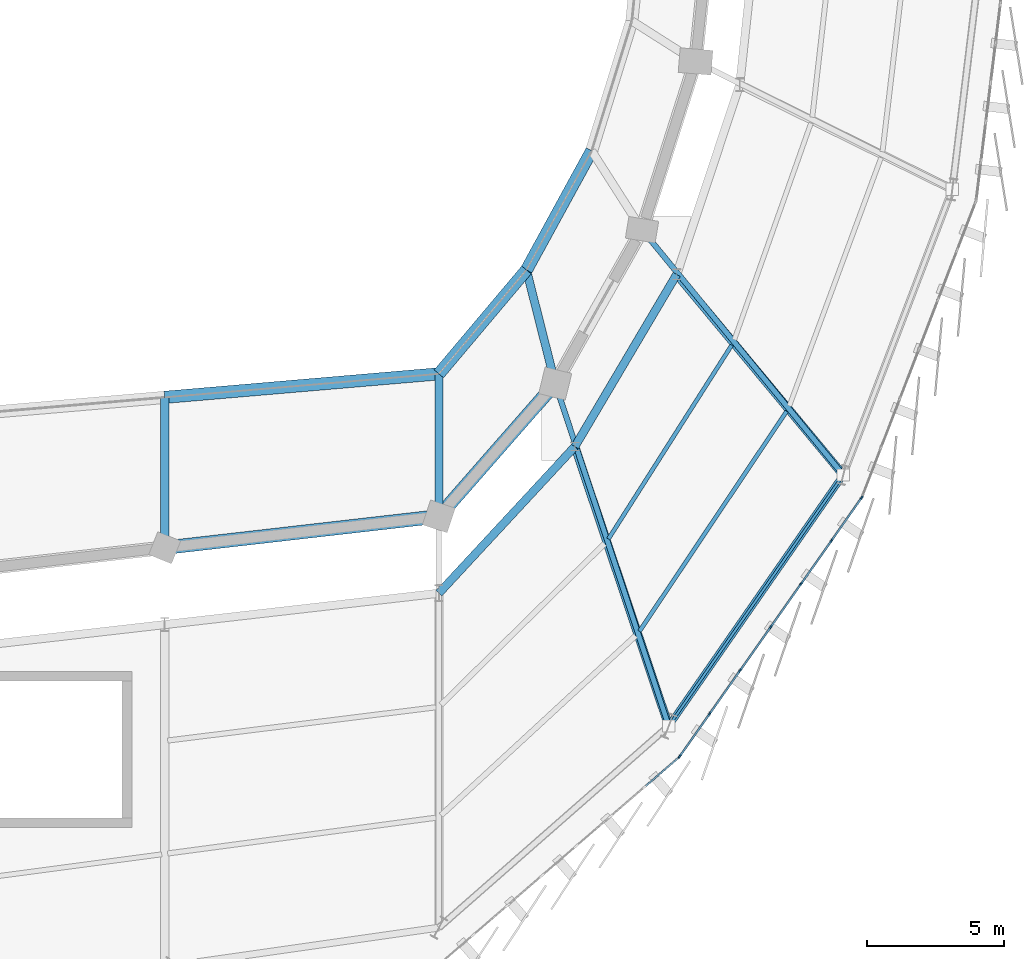
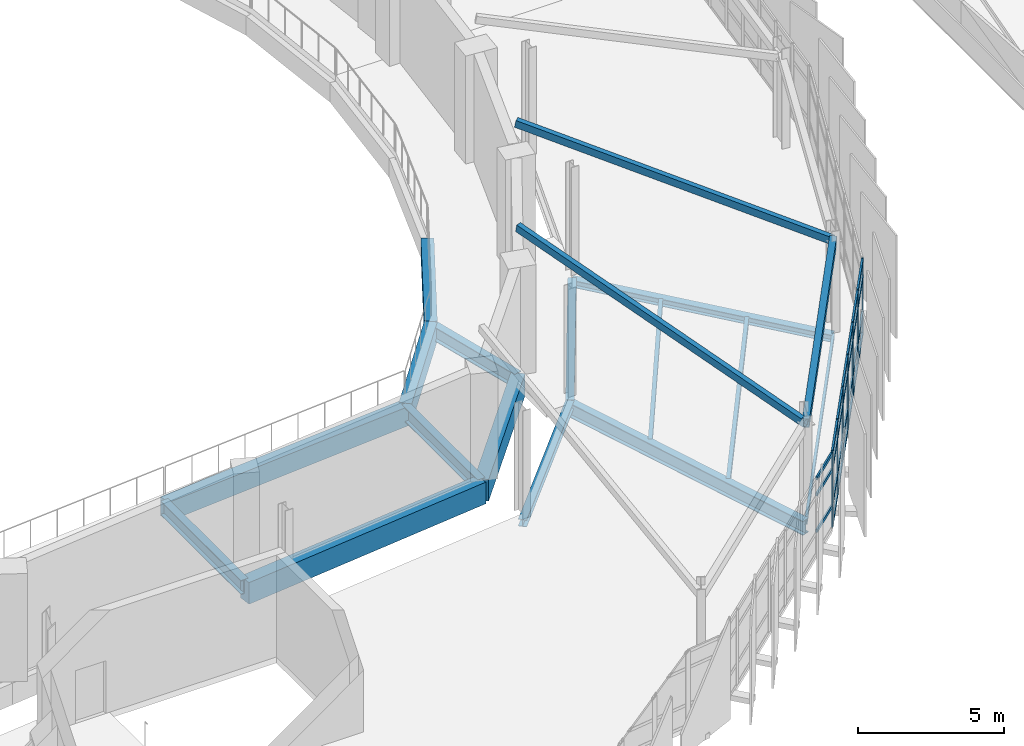
# One storey, part 41 of 87: 37 members, 15 beams, 2 elements without a shape of their own.
"""IFC4 building model written with IfcOpenShell, lengths in metres."""

from ifc_helpers import new_model, si_unit, direction, frame, origin, origin_2d, place, context, subcontext, project, spatial, rectangle, hollow_rectangle, i_section, extrude, material, layer, layer_set, material_profile, profile_set, type_object, element, aggregate, save


model = new_model("IFC4")

# Units and contexts
model_context = context("Model", 3, precision=1e-05, world=origin(), true_north=direction((0.0, 1.0)))
body_context = subcontext(model_context, "Body", "Model", "MODEL_VIEW")
ifc_project = project(units=[si_unit("LENGTHUNIT", "METRE"), si_unit("AREAUNIT", "SQUARE_METRE"), si_unit("VOLUMEUNIT", "CUBIC_METRE"), si_unit("PLANEANGLEUNIT", "RADIAN"), si_unit("MASSUNIT", "GRAM", prefix="KILO")], contexts=[model_context])

# Site, building, storey
site_placement = place(None, origin())
site = spatial("IfcSite", under=ifc_project, at=site_placement, CompositionType="ELEMENT")
building_placement = place(site_placement, origin())
building = spatial("IfcBuilding", under=site, at=building_placement, Name="Sohan Crest Arena", CompositionType="ELEMENT")
storey_placement = place(building_placement, frame((0.0, 0.0, 18.0)))
storey = spatial("IfcBuildingStorey", under=building, at=storey_placement, Name="L04", CompositionType="ELEMENT", Elevation=18.0)

# Curtain wall, members
ifc_material_1 = material(Name="Thermally broken anodised aluminium", Category="aluminium")
ifc_layer_1 = layer(ifc_material_1, 0.219970703125, Name="Thermally broken anodised aluminium")
ifc_layer_set_1 = layer_set([ifc_layer_1], Name="Thermally broken anodised aluminium")
curtain_wall_type_1 = type_object("IfcCurtainWallType", Name="ARC-CW03", PredefinedType="NOTDEFINED", material=ifc_layer_set_1)
curtain_wall_1_placement = place(storey_placement, origin())
curtain_wall_1 = element("IfcCurtainWall", 1, at=curtain_wall_1_placement, inside=storey, type_object=curtain_wall_type_1, Name="Unitised curtain wall CW-132", PredefinedType="NOTDEFINED")
ifc_material_profile_1 = material_profile(ifc_material_1, rectangle(XDim=0.06005859375, YDim=0.159912109375, at=origin_2d()), Name="ALU-MULL 60x160")
ifc_profile_set_1 = profile_set([ifc_material_profile_1], Name="Thermally broken anodised aluminium")
member_type_1 = type_object("IfcMemberType", Name="ARC-CW-ML01", PredefinedType="MULLION", material=ifc_profile_set_1)
member_1_placement = place(storey_placement, frame((176.783203125, 46.24658203125, 0.0), z_axis=(0.0, 0.0, 1.0), x_axis=(-0.817854574128, 0.575424969546, 0.0)))
member_1 = element("IfcMember", 2, at=member_1_placement, type_object=member_type_1, Name="CW-132 mullion 1", PredefinedType="MULLION", context=body_context, shape_type="SweptSolid", body=[
    extrude(rectangle(XDim=0.06005859375, YDim=0.159912109375, at=origin_2d()), origin(), (0.0, 0.0, 1.0), 3.1201171875),
])
member_2_placement = place(storey_placement, frame((177.876953125, 47.80078125, 0.0), z_axis=(0.0, 0.0, 1.0), x_axis=(-0.817854574128, 0.575424969546, 0.0)))
member_2 = element("IfcMember", 3, at=member_2_placement, type_object=member_type_1, Name="CW-132 mullion 2", PredefinedType="MULLION", context=body_context, shape_type="SweptSolid", body=[
    extrude(rectangle(XDim=0.06005859375, YDim=0.159912109375, at=origin_2d()), origin(), (0.0, 0.0, 1.0), 3.1201171875),
])
member_3_placement = place(storey_placement, frame((178.987548828125, 49.379638671875, 0.0), z_axis=(0.0, 0.0, 1.0), x_axis=(-0.817854574128, 0.575424969546, 0.0)))
member_3 = element("IfcMember", 4, at=member_3_placement, type_object=member_type_1, Name="CW-132 mullion 3", PredefinedType="MULLION", context=body_context, shape_type="SweptSolid", body=[
    extrude(rectangle(XDim=0.06005859375, YDim=0.159912109375, at=origin_2d()), origin(), (0.0, 0.0, 1.0), 3.1201171875),
])
member_4_placement = place(storey_placement, frame((180.098388671875, 50.95849609375, 0.0), z_axis=(0.0, 0.0, 1.0), x_axis=(-0.817854574128, 0.575424969546, 0.0)))
member_4 = element("IfcMember", 5, at=member_4_placement, type_object=member_type_1, Name="CW-132 mullion 4", PredefinedType="MULLION", context=body_context, shape_type="SweptSolid", body=[
    extrude(rectangle(XDim=0.06005859375, YDim=0.159912109375, at=origin_2d()), origin(), (0.0, 0.0, 1.0), 3.1201171875),
])
member_5_placement = place(storey_placement, frame((181.209228515625, 52.537353515625, 0.0), z_axis=(0.0, 0.0, 1.0), x_axis=(-0.817854574128, 0.575424969546, 0.0)))
member_5 = element("IfcMember", 6, at=member_5_placement, type_object=member_type_1, Name="CW-132 mullion 5", PredefinedType="MULLION", context=body_context, shape_type="SweptSolid", body=[
    extrude(rectangle(XDim=0.06005859375, YDim=0.159912109375, at=origin_2d()), origin(), (0.0, 0.0, 1.0), 3.1201171875),
])
member_6_placement = place(storey_placement, frame((182.320068359375, 54.1162109375, 0.0), z_axis=(0.0, 0.0, 1.0), x_axis=(-0.817854574128, 0.575424969546, 0.0)))
member_6 = element("IfcMember", 7, at=member_6_placement, type_object=member_type_1, Name="CW-132 mullion 6", PredefinedType="MULLION", context=body_context, shape_type="SweptSolid", body=[
    extrude(rectangle(XDim=0.06005859375, YDim=0.159912109375, at=origin_2d()), origin(), (0.0, 0.0, 1.0), 3.1201171875),
])
member_7_placement = place(storey_placement, frame((183.413818359375, 55.67041015625, 0.0), z_axis=(0.0, 0.0, 1.0), x_axis=(-0.817854574128, 0.575424969546, 0.0)))
member_7 = element("IfcMember", 8, at=member_7_placement, type_object=member_type_1, Name="CW-132 mullion 7", PredefinedType="MULLION", context=body_context, shape_type="SweptSolid", body=[
    extrude(rectangle(XDim=0.06005859375, YDim=0.159912109375, at=origin_2d()), origin(), (0.0, 0.0, 1.0), 3.1201171875),
])

ifc_layer_2 = layer(ifc_material_1, 0.199951171875, Name="Thermally broken anodised aluminium")
ifc_layer_set_2 = layer_set([ifc_layer_2], Name="Thermally broken anodised aluminium")
curtain_wall_type_2 = type_object("IfcCurtainWallType", Name="ARC-CW02", PredefinedType="NOTDEFINED", material=ifc_layer_set_2)
curtain_wall_2_placement = place(storey_placement, origin())
curtain_wall_2 = element("IfcCurtainWall", 9, at=curtain_wall_2_placement, inside=storey, type_object=curtain_wall_type_2, Name="Unitised curtain wall CW-131", PredefinedType="NOTDEFINED")
ifc_material_profile_2 = material_profile(ifc_material_1, rectangle(XDim=0.06494140625, YDim=0.139892578125, at=origin_2d()), Name="ALU-TRAN 65x140")
ifc_profile_set_2 = profile_set([ifc_material_profile_2], Name="Thermally broken anodised aluminium")
member_type_2 = type_object("IfcMemberType", Name="ARC-CW-TR02", PredefinedType="USERDEFINED", material=ifc_profile_set_2)
member_8_placement = place(storey_placement, frame((175.5419921875, 45.164794921875, 0.89990234375), z_axis=(0.756826567139, 0.653615748948, 0.0), x_axis=(-0.653615748948, 0.756826567139, 0.0)))
member_8 = element("IfcMember", 10, at=member_8_placement, type_object=member_type_2, Name="CW-131 transom 7.2", ObjectType="TRANSOM", PredefinedType="USERDEFINED", context=body_context, shape_type="SweptSolid", body=[
    extrude(rectangle(XDim=0.06494140625, YDim=0.139892578125, at=origin_2d()), origin(), (0.0, 0.0, 1.0), 1.542236328125),
])
member_9_placement = place(storey_placement, frame((175.5419921875, 45.164794921875, 2.419921875), z_axis=(0.756826567139, 0.653615748948, 0.0), x_axis=(-0.653615748948, 0.756826567139, 0.0)))
member_9 = element("IfcMember", 11, at=member_9_placement, type_object=member_type_2, Name="CW-131 transom 7.3", ObjectType="TRANSOM", PredefinedType="USERDEFINED", context=body_context, shape_type="SweptSolid", body=[
    extrude(rectangle(XDim=0.06494140625, YDim=0.139892578125, at=origin_2d()), origin(), (0.0, 0.0, 1.0), 1.542236328125),
])
member_10_placement = place(storey_placement, frame((175.5419921875, 45.164794921875, 3.08740234375), z_axis=(0.756826567139, 0.653615748948, 0.0), x_axis=(-0.653615748948, 0.756826567139, 0.0)))
member_10 = element("IfcMember", 12, at=member_10_placement, type_object=member_type_2, Name="CW-131 transom 7.4", ObjectType="TRANSOM", PredefinedType="USERDEFINED", context=body_context, shape_type="SweptSolid", body=[
    extrude(rectangle(XDim=0.06494140625, YDim=0.139892578125, at=origin_2d()), origin(), (0.0, 0.0, 1.0), 1.542236328125),
])
aggregate(curtain_wall_2, [member_8, member_9, member_10])

# Member
ifc_material_profile_3 = material_profile(ifc_material_1, rectangle(XDim=0.070068359375, YDim=0.14990234375, at=origin_2d()), Name="ALU-TRAN 70x150")
ifc_profile_set_3 = profile_set([ifc_material_profile_3], Name="Thermally broken anodised aluminium")
member_type_3 = type_object("IfcMemberType", Name="ARC-CW-TR03", PredefinedType="USERDEFINED", material=ifc_profile_set_3)
member_11_placement = place(storey_placement, frame((176.800537109375, 46.27099609375, 0.034912109375), z_axis=(0.575401404897, 0.817871153203, 0.0), x_axis=(-0.817871153203, 0.575401404897, 0.0)))
member_11 = element("IfcMember", 13, at=member_11_placement, type_object=member_type_3, Name="CW-132 transom 1.1", ObjectType="TRANSOM", PredefinedType="USERDEFINED", context=body_context, shape_type="SweptSolid", body=[
    extrude(rectangle(XDim=0.070068359375, YDim=0.14990234375, at=origin_2d()), origin(), (0.0, 0.0, 1.0), 1.840576171875),
])

member_12_placement = place(storey_placement, frame((176.800537109375, 46.27099609375, 0.89990234375), z_axis=(0.575401404897, 0.817871153203, 0.0), x_axis=(-0.817871153203, 0.575401404897, 0.0)))
member_12 = element("IfcMember", 14, at=member_12_placement, type_object=member_type_3, Name="CW-132 transom 1.2", ObjectType="TRANSOM", PredefinedType="USERDEFINED", context=body_context, shape_type="SweptSolid", body=[
    extrude(rectangle(XDim=0.070068359375, YDim=0.14990234375, at=origin_2d()), origin(), (0.0, 0.0, 1.0), 1.840576171875),
])

member_13_placement = place(storey_placement, frame((176.800537109375, 46.27099609375, 2.419921875), z_axis=(0.575401404897, 0.817871153203, 0.0), x_axis=(-0.817871153203, 0.575401404897, 0.0)))
member_13 = element("IfcMember", 15, at=member_13_placement, type_object=member_type_3, Name="CW-132 transom 1.3", ObjectType="TRANSOM", PredefinedType="USERDEFINED", context=body_context, shape_type="SweptSolid", body=[
    extrude(rectangle(XDim=0.070068359375, YDim=0.14990234375, at=origin_2d()), origin(), (0.0, 0.0, 1.0), 1.840576171875),
])

member_14_placement = place(storey_placement, frame((176.800537109375, 46.27099609375, 3.0849609375), z_axis=(0.575401404897, 0.817871153203, 0.0), x_axis=(-0.817871153203, 0.575401404897, 0.0)))
member_14 = element("IfcMember", 16, at=member_14_placement, type_object=member_type_3, Name="CW-132 transom 1.4", ObjectType="TRANSOM", PredefinedType="USERDEFINED", context=body_context, shape_type="SweptSolid", body=[
    extrude(rectangle(XDim=0.070068359375, YDim=0.14990234375, at=origin_2d()), origin(), (0.0, 0.0, 1.0), 1.840576171875),
])

member_15_placement = place(storey_placement, frame((177.89404296875, 47.825439453125, 0.034912109375), z_axis=(0.575457842223, 0.817831444629, 0.0), x_axis=(-0.817831444629, 0.575457842223, 0.0)))
member_15 = element("IfcMember", 17, at=member_15_placement, type_object=member_type_3, Name="CW-132 transom 2.1", ObjectType="TRANSOM", PredefinedType="USERDEFINED", context=body_context, shape_type="SweptSolid", body=[
    extrude(rectangle(XDim=0.070068359375, YDim=0.14990234375, at=origin_2d()), origin(), (0.0, 0.0, 1.0), 1.87060546875),
])

member_16_placement = place(storey_placement, frame((177.89404296875, 47.825439453125, 0.89990234375), z_axis=(0.575457842223, 0.817831444629, 0.0), x_axis=(-0.817831444629, 0.575457842223, 0.0)))
member_16 = element("IfcMember", 18, at=member_16_placement, type_object=member_type_3, Name="CW-132 transom 2.2", ObjectType="TRANSOM", PredefinedType="USERDEFINED", context=body_context, shape_type="SweptSolid", body=[
    extrude(rectangle(XDim=0.070068359375, YDim=0.14990234375, at=origin_2d()), origin(), (0.0, 0.0, 1.0), 1.87060546875),
])

member_17_placement = place(storey_placement, frame((177.89404296875, 47.825439453125, 2.419921875), z_axis=(0.575457842223, 0.817831444629, 0.0), x_axis=(-0.817831444629, 0.575457842223, 0.0)))
member_17 = element("IfcMember", 19, at=member_17_placement, type_object=member_type_3, Name="CW-132 transom 2.3", ObjectType="TRANSOM", PredefinedType="USERDEFINED", context=body_context, shape_type="SweptSolid", body=[
    extrude(rectangle(XDim=0.070068359375, YDim=0.14990234375, at=origin_2d()), origin(), (0.0, 0.0, 1.0), 1.87060546875),
])

member_18_placement = place(storey_placement, frame((177.89404296875, 47.825439453125, 3.0849609375), z_axis=(0.575457842223, 0.817831444629, 0.0), x_axis=(-0.817831444629, 0.575457842223, 0.0)))
member_18 = element("IfcMember", 20, at=member_18_placement, type_object=member_type_3, Name="CW-132 transom 2.4", ObjectType="TRANSOM", PredefinedType="USERDEFINED", context=body_context, shape_type="SweptSolid", body=[
    extrude(rectangle(XDim=0.070068359375, YDim=0.14990234375, at=origin_2d()), origin(), (0.0, 0.0, 1.0), 1.87060546875),
])

member_19_placement = place(storey_placement, frame((179.0048828125, 49.404296875, 0.034912109375), z_axis=(0.575457842223, 0.817831444629, 0.0), x_axis=(-0.817831444629, 0.575457842223, 0.0)))
member_19 = element("IfcMember", 21, at=member_19_placement, type_object=member_type_3, Name="CW-132 transom 3.1", ObjectType="TRANSOM", PredefinedType="USERDEFINED", context=body_context, shape_type="SweptSolid", body=[
    extrude(rectangle(XDim=0.070068359375, YDim=0.14990234375, at=origin_2d()), origin(), (0.0, 0.0, 1.0), 1.87060546875),
])

member_20_placement = place(storey_placement, frame((179.0048828125, 49.404296875, 0.89990234375), z_axis=(0.575457842223, 0.817831444629, 0.0), x_axis=(-0.817831444629, 0.575457842223, 0.0)))
member_20 = element("IfcMember", 22, at=member_20_placement, type_object=member_type_3, Name="CW-132 transom 3.2", ObjectType="TRANSOM", PredefinedType="USERDEFINED", context=body_context, shape_type="SweptSolid", body=[
    extrude(rectangle(XDim=0.070068359375, YDim=0.14990234375, at=origin_2d()), origin(), (0.0, 0.0, 1.0), 1.87060546875),
])

member_21_placement = place(storey_placement, frame((179.0048828125, 49.404296875, 2.419921875), z_axis=(0.575457842223, 0.817831444629, 0.0), x_axis=(-0.817831444629, 0.575457842223, 0.0)))
member_21 = element("IfcMember", 23, at=member_21_placement, type_object=member_type_3, Name="CW-132 transom 3.3", ObjectType="TRANSOM", PredefinedType="USERDEFINED", context=body_context, shape_type="SweptSolid", body=[
    extrude(rectangle(XDim=0.070068359375, YDim=0.14990234375, at=origin_2d()), origin(), (0.0, 0.0, 1.0), 1.87060546875),
])

member_22_placement = place(storey_placement, frame((179.0048828125, 49.404296875, 3.0849609375), z_axis=(0.575457842223, 0.817831444629, 0.0), x_axis=(-0.817831444629, 0.575457842223, 0.0)))
member_22 = element("IfcMember", 24, at=member_22_placement, type_object=member_type_3, Name="CW-132 transom 3.4", ObjectType="TRANSOM", PredefinedType="USERDEFINED", context=body_context, shape_type="SweptSolid", body=[
    extrude(rectangle(XDim=0.070068359375, YDim=0.14990234375, at=origin_2d()), origin(), (0.0, 0.0, 1.0), 1.87060546875),
])

member_23_placement = place(storey_placement, frame((180.11572265625, 50.983154296875, 0.034912109375), z_axis=(0.575519272944, 0.817788216148, 0.0), x_axis=(-0.817788216148, 0.575519272944, 0.0)))
member_23 = element("IfcMember", 25, at=member_23_placement, type_object=member_type_3, Name="CW-132 transom 4.1", ObjectType="TRANSOM", PredefinedType="USERDEFINED", context=body_context, shape_type="SweptSolid", body=[
    extrude(rectangle(XDim=0.070068359375, YDim=0.14990234375, at=origin_2d()), origin(), (0.0, 0.0, 1.0), 1.870361328125),
])

member_24_placement = place(storey_placement, frame((180.11572265625, 50.983154296875, 0.89990234375), z_axis=(0.575519272944, 0.817788216148, 0.0), x_axis=(-0.817788216148, 0.575519272944, 0.0)))
member_24 = element("IfcMember", 26, at=member_24_placement, type_object=member_type_3, Name="CW-132 transom 4.2", ObjectType="TRANSOM", PredefinedType="USERDEFINED", context=body_context, shape_type="SweptSolid", body=[
    extrude(rectangle(XDim=0.070068359375, YDim=0.14990234375, at=origin_2d()), origin(), (0.0, 0.0, 1.0), 1.870361328125),
])

member_25_placement = place(storey_placement, frame((180.11572265625, 50.983154296875, 2.419921875), z_axis=(0.575519272944, 0.817788216148, 0.0), x_axis=(-0.817788216148, 0.575519272944, 0.0)))
member_25 = element("IfcMember", 27, at=member_25_placement, type_object=member_type_3, Name="CW-132 transom 4.3", ObjectType="TRANSOM", PredefinedType="USERDEFINED", context=body_context, shape_type="SweptSolid", body=[
    extrude(rectangle(XDim=0.070068359375, YDim=0.14990234375, at=origin_2d()), origin(), (0.0, 0.0, 1.0), 1.870361328125),
])

member_26_placement = place(storey_placement, frame((180.11572265625, 50.983154296875, 3.0849609375), z_axis=(0.575519272944, 0.817788216148, 0.0), x_axis=(-0.817788216148, 0.575519272944, 0.0)))
member_26 = element("IfcMember", 28, at=member_26_placement, type_object=member_type_3, Name="CW-132 transom 4.4", ObjectType="TRANSOM", PredefinedType="USERDEFINED", context=body_context, shape_type="SweptSolid", body=[
    extrude(rectangle(XDim=0.070068359375, YDim=0.14990234375, at=origin_2d()), origin(), (0.0, 0.0, 1.0), 1.870361328125),
])

member_27_placement = place(storey_placement, frame((181.2265625, 52.561767578125, 0.034912109375), z_axis=(0.575457842223, 0.817831444629, 0.0), x_axis=(-0.817831444629, 0.575457842223, 0.0)))
member_27 = element("IfcMember", 29, at=member_27_placement, type_object=member_type_3, Name="CW-132 transom 5.1", ObjectType="TRANSOM", PredefinedType="USERDEFINED", context=body_context, shape_type="SweptSolid", body=[
    extrude(rectangle(XDim=0.070068359375, YDim=0.14990234375, at=origin_2d()), origin(), (0.0, 0.0, 1.0), 1.87060546875),
])

member_28_placement = place(storey_placement, frame((181.2265625, 52.561767578125, 0.89990234375), z_axis=(0.575457842223, 0.817831444629, 0.0), x_axis=(-0.817831444629, 0.575457842223, 0.0)))
member_28 = element("IfcMember", 30, at=member_28_placement, type_object=member_type_3, Name="CW-132 transom 5.2", ObjectType="TRANSOM", PredefinedType="USERDEFINED", context=body_context, shape_type="SweptSolid", body=[
    extrude(rectangle(XDim=0.070068359375, YDim=0.14990234375, at=origin_2d()), origin(), (0.0, 0.0, 1.0), 1.87060546875),
])

member_29_placement = place(storey_placement, frame((181.2265625, 52.561767578125, 2.419921875), z_axis=(0.575457842223, 0.817831444629, 0.0), x_axis=(-0.817831444629, 0.575457842223, 0.0)))
member_29 = element("IfcMember", 31, at=member_29_placement, type_object=member_type_3, Name="CW-132 transom 5.3", ObjectType="TRANSOM", PredefinedType="USERDEFINED", context=body_context, shape_type="SweptSolid", body=[
    extrude(rectangle(XDim=0.070068359375, YDim=0.14990234375, at=origin_2d()), origin(), (0.0, 0.0, 1.0), 1.87060546875),
])

member_30_placement = place(storey_placement, frame((181.2265625, 52.561767578125, 3.0849609375), z_axis=(0.575457842223, 0.817831444629, 0.0), x_axis=(-0.817831444629, 0.575457842223, 0.0)))
member_30 = element("IfcMember", 32, at=member_30_placement, type_object=member_type_3, Name="CW-132 transom 5.4", ObjectType="TRANSOM", PredefinedType="USERDEFINED", context=body_context, shape_type="SweptSolid", body=[
    extrude(rectangle(XDim=0.070068359375, YDim=0.14990234375, at=origin_2d()), origin(), (0.0, 0.0, 1.0), 1.87060546875),
])

member_31_placement = place(storey_placement, frame((182.33740234375, 54.140625, 0.034912109375), z_axis=(0.575401404897, 0.817871153203, 0.0), x_axis=(-0.817871153203, 0.575401404897, 0.0)))
member_31 = element("IfcMember", 33, at=member_31_placement, type_object=member_type_3, Name="CW-132 transom 6.1", ObjectType="TRANSOM", PredefinedType="USERDEFINED", context=body_context, shape_type="SweptSolid", body=[
    extrude(rectangle(XDim=0.070068359375, YDim=0.14990234375, at=origin_2d()), origin(), (0.0, 0.0, 1.0), 1.840576171875),
])

member_32_placement = place(storey_placement, frame((182.33740234375, 54.140625, 0.89990234375), z_axis=(0.575401404897, 0.817871153203, 0.0), x_axis=(-0.817871153203, 0.575401404897, 0.0)))
member_32 = element("IfcMember", 34, at=member_32_placement, type_object=member_type_3, Name="CW-132 transom 6.2", ObjectType="TRANSOM", PredefinedType="USERDEFINED", context=body_context, shape_type="SweptSolid", body=[
    extrude(rectangle(XDim=0.070068359375, YDim=0.14990234375, at=origin_2d()), origin(), (0.0, 0.0, 1.0), 1.840576171875),
])

member_33_placement = place(storey_placement, frame((182.33740234375, 54.140625, 2.419921875), z_axis=(0.575401404897, 0.817871153203, 0.0), x_axis=(-0.817871153203, 0.575401404897, 0.0)))
member_33 = element("IfcMember", 35, at=member_33_placement, type_object=member_type_3, Name="CW-132 transom 6.3", ObjectType="TRANSOM", PredefinedType="USERDEFINED", context=body_context, shape_type="SweptSolid", body=[
    extrude(rectangle(XDim=0.070068359375, YDim=0.14990234375, at=origin_2d()), origin(), (0.0, 0.0, 1.0), 1.840576171875),
])

member_34_placement = place(storey_placement, frame((182.33740234375, 54.140625, 3.0849609375), z_axis=(0.575401404897, 0.817871153203, 0.0), x_axis=(-0.817871153203, 0.575401404897, 0.0)))
member_34 = element("IfcMember", 36, at=member_34_placement, type_object=member_type_3, Name="CW-132 transom 6.4", ObjectType="TRANSOM", PredefinedType="USERDEFINED", context=body_context, shape_type="SweptSolid", body=[
    extrude(rectangle(XDim=0.070068359375, YDim=0.14990234375, at=origin_2d()), origin(), (0.0, 0.0, 1.0), 1.840576171875),
])

aggregate(curtain_wall_1, [member_1, member_2, member_3, member_4, member_5, member_6, member_7, member_11, member_12, member_13, member_14, member_15, member_16, member_17, member_18, member_19, member_20, member_21, member_22, member_23, member_24, member_25, member_26, member_27, member_28, member_29, member_30, member_31, member_32, member_33, member_34])

# Beams
ifc_material_2 = material(Name="Steel S355", Category="steel")
ifc_material_profile_4 = material_profile(ifc_material_2, i_section(OverallWidth=0.14990234375, OverallDepth=0.300048828125, WebThickness=0.007080078125, FlangeThickness=0.0107421875, at=origin_2d()), Name="IPE 300")
ifc_profile_set_4 = profile_set([ifc_material_profile_4], Name="Steel S355")
beam_type_1 = type_object("IfcBeamType", Name="STR-BM-B01", PredefinedType="JOIST", material=ifc_profile_set_4)
beam_1_placement = place(storey_placement, frame((174.18310546875, 54.175048828125, -0.39990234375), z_axis=(0.536679400997, 0.843786241027, 0.0), x_axis=(-0.843786241027, 0.536679400997, 0.0)))
element("IfcBeam", 37, at=beam_1_placement, inside=storey, type_object=beam_type_1, Name="Structural beam J-L04-1642", PredefinedType="JOIST", context=body_context, shape_type="SweptSolid", body=[
    extrude(i_section(OverallWidth=0.14990234375, OverallDepth=0.300048828125, WebThickness=0.007080078125, FlangeThickness=0.0107421875, at=origin_2d()), origin(), (0.0, 0.0, 1.0), 8.37890625),
])
beam_2_placement = place(storey_placement, frame((175.31494140625, 50.80908203125, -0.39990234375), z_axis=(0.556006645923, 0.831177844802, 0.0), x_axis=(-0.831177844802, 0.556006645923, 0.0)))
element("IfcBeam", 38, at=beam_2_placement, inside=storey, type_object=beam_type_1, Name="Structural beam J-L04-1643", PredefinedType="JOIST", context=body_context, shape_type="SweptSolid", body=[
    extrude(i_section(OverallWidth=0.14990234375, OverallDepth=0.300048828125, WebThickness=0.007080078125, FlangeThickness=0.0107421875, at=origin_2d()), origin(), (0.0, 0.0, 1.0), 9.65478515625),
])
ifc_material_profile_5 = material_profile(ifc_material_2, i_section(OverallWidth=0.300048828125, OverallDepth=0.590087890625, WebThickness=0.012939453125, FlangeThickness=0.02490234375, at=origin_2d()), Name="HEA 600")
ifc_profile_set_5 = profile_set([ifc_material_profile_5], Name="Steel S355")
beam_type_2 = type_object("IfcBeamType", Name="STR-BM-B11", PredefinedType="BEAM", material=ifc_profile_set_5)
beam_3_placement = place(storey_placement, frame((158.0, 59.343017578125, -0.544921875), z_axis=(0.0, -1.0, 0.0), x_axis=(1.0, 0.0, 0.0)))
element("IfcBeam", 39, at=beam_3_placement, inside=storey, type_object=beam_type_2, Name="Structural beam G-L04-0474", PredefinedType="BEAM", context=body_context, shape_type="SweptSolid", body=[
    extrude(i_section(OverallWidth=0.300048828125, OverallDepth=0.590087890625, WebThickness=0.012939453125, FlangeThickness=0.02490234375, at=origin_2d()), origin(), (0.0, 0.0, 1.0), 5.486083984375),
])
beam_4_placement = place(storey_placement, frame((168.0, 60.199951171875, -0.544921875), z_axis=(0.0, -1.0, 0.0), x_axis=(1.0, 0.0, 0.0)))
element("IfcBeam", 40, at=beam_4_placement, inside=storey, type_object=beam_type_2, Name="Structural beam G-L04-0496", PredefinedType="BEAM", context=body_context, shape_type="SweptSolid", body=[
    extrude(i_section(OverallWidth=0.300048828125, OverallDepth=0.590087890625, WebThickness=0.012939453125, FlangeThickness=0.02490234375, at=origin_2d()), origin(), (0.0, 0.0, 1.0), 5.199951171875),
])
beam_5_placement = place(storey_placement, frame((171.194091796875, 63.988037109375, -0.544921875), z_axis=(0.245465367753, -0.969405360638, 0.0), x_axis=(0.969405360638, 0.245465367753, 0.0)))
element("IfcBeam", 41, at=beam_5_placement, inside=storey, type_object=beam_type_2, Name="Structural beam G-L04-0519", PredefinedType="BEAM", context=body_context, shape_type="SweptSolid", body=[
    extrude(i_section(OverallWidth=0.300048828125, OverallDepth=0.590087890625, WebThickness=0.012939453125, FlangeThickness=0.02490234375, at=origin_2d()), origin(), (0.0, 0.0, 1.0), 4.272705078125),
])
beam_6_placement = place(storey_placement, frame((172.9609375, 57.547119140625, -0.544921875), z_axis=(0.318297981778, -0.947990714509, 0.0), x_axis=(0.947990714509, 0.318297981778, 0.0)))
element("IfcBeam", 42, at=beam_6_placement, inside=storey, type_object=beam_type_2, Name="Structural beam G-L04-1639", PredefinedType="BEAM", context=body_context, shape_type="SweptSolid", body=[
    extrude(i_section(OverallWidth=0.300048828125, OverallDepth=0.590087890625, WebThickness=0.012939453125, FlangeThickness=0.02490234375, at=origin_2d()), origin(), (0.0, 0.0, 1.0), 10.751220703125),
])
ifc_material_profile_6 = material_profile(ifc_material_2, i_section(OverallWidth=0.300048828125, OverallDepth=0.300048828125, WebThickness=0.010986328125, FlangeThickness=0.01904296875, at=origin_2d()), Name="HEB 300")
ifc_profile_set_6 = profile_set([ifc_material_profile_6], Name="Steel S355")
beam_type_3 = type_object("IfcBeamType", Name="STR-BM-B12", PredefinedType="BEAM", material=ifc_profile_set_6)
beam_7_placement = place(storey_placement, frame((168.0, 52.199951171875, -0.39990234375), z_axis=(0.680135214567, 0.733086686488, 0.0), x_axis=(-0.733086686488, 0.680135214567, 0.0)))
element("IfcBeam", 43, at=beam_7_placement, inside=storey, type_object=beam_type_3, Name="Structural beam G-L04-1635", PredefinedType="BEAM", context=body_context, shape_type="SweptSolid", body=[
    extrude(i_section(OverallWidth=0.300048828125, OverallDepth=0.300048828125, WebThickness=0.010986328125, FlangeThickness=0.01904296875, at=origin_2d()), origin(), (0.0, 0.0, 1.0), 7.2939453125),
])
beam_8_placement = place(storey_placement, frame((172.9609375, 57.547119140625, -0.39990234375), z_axis=(0.509085626747, 0.860715879161, 0.0), x_axis=(-0.860715879161, 0.509085626747, 0.0)))
element("IfcBeam", 44, at=beam_8_placement, inside=storey, type_object=beam_type_3, Name="Structural beam G-L04-1640", PredefinedType="BEAM", context=body_context, shape_type="SweptSolid", body=[
    extrude(i_section(OverallWidth=0.300048828125, OverallDepth=0.300048828125, WebThickness=0.010986328125, FlangeThickness=0.01904296875, at=origin_2d()), origin(), (0.0, 0.0, 1.0), 7.293701171875),
])
beam_9_placement = place(storey_placement, frame((176.674072265625, 63.824951171875, -0.39990234375), z_axis=(0.638940924568, -0.7692558059, 0.0), x_axis=(0.7692558059, 0.638940924568, 0.0)))
element("IfcBeam", 45, at=beam_9_placement, inside=storey, type_object=beam_type_3, Name="Structural beam G-L04-1644", PredefinedType="BEAM", context=body_context, shape_type="SweptSolid", body=[
    extrude(i_section(OverallWidth=0.300048828125, OverallDepth=0.300048828125, WebThickness=0.010986328125, FlangeThickness=0.01904296875, at=origin_2d()), origin(), (0.0, 0.0, 1.0), 9.5078125),
])
ifc_material_profile_7 = material_profile(ifc_material_2, hollow_rectangle(XDim=0.10009765625, YDim=0.199951171875, WallThickness=0.008056640625, at=origin_2d()), Name="RHS 200x100x8")
ifc_profile_set_7 = profile_set([ifc_material_profile_7], Name="Steel S355")
beam_type_4 = type_object("IfcBeamType", Name="STR-BM-SP01", PredefinedType="SPANDREL", material=ifc_profile_set_7)
beam_10_placement = place(storey_placement, frame((176.383056640625, 47.35498046875, -0.35009765625), z_axis=(0.570857282329, 0.8210493062, 0.0), x_axis=(-0.8210493062, 0.570857282329, 0.0)))
element("IfcBeam", 46, at=beam_10_placement, inside=storey, type_object=beam_type_4, Name="Structural beam SP-L04-1641", PredefinedType="SPANDREL", context=body_context, shape_type="SweptSolid", body=[
    extrude(hollow_rectangle(XDim=0.10009765625, YDim=0.199951171875, WallThickness=0.008056640625, at=origin_2d()), origin(), (0.0, 0.0, 1.0), 11.151611328125),
])
ifc_material_3 = material(Name="Concrete C40/50", Category="concrete")
ifc_material_profile_8 = material_profile(ifc_material_3, rectangle(XDim=0.449951171875, YDim=0.800048828125, at=origin_2d()), Name="RC-BM 450x800")
ifc_profile_set_8 = profile_set([ifc_material_profile_8], Name="Concrete C40/50")
beam_type_5 = type_object("IfcBeamType", Name="STR-BM-TB02", PredefinedType="BEAM", material=ifc_profile_set_8)
beam_11_placement = place(storey_placement, frame((158.0, 59.343017578125, -0.64990234375), z_axis=(0.996348422929, 0.085380443469, 0.0), x_axis=(-0.085380443469, 0.996348422929, 0.0)))
element("IfcBeam", 47, at=beam_11_placement, inside=storey, type_object=beam_type_5, Name="Structural beam TB-L04-0472", PredefinedType="BEAM", context=body_context, shape_type="SweptSolid", body=[
    extrude(rectangle(XDim=0.449951171875, YDim=0.800048828125, at=origin_2d()), origin(), (0.0, 0.0, 1.0), 10.03662109375),
])
beam_12_placement = place(storey_placement, frame((168.0, 60.199951171875, -0.64990234375), z_axis=(0.644622663131, 0.764500897435, 0.0), x_axis=(-0.764500897435, 0.644622663131, 0.0)))
element("IfcBeam", 48, at=beam_12_placement, inside=storey, type_object=beam_type_5, Name="Structural beam TB-L04-0494", PredefinedType="BEAM", context=body_context, shape_type="SweptSolid", body=[
    extrude(rectangle(XDim=0.449951171875, YDim=0.800048828125, at=origin_2d()), origin(), (0.0, 0.0, 1.0), 4.955078125),
])
beam_13_placement = place(storey_placement, frame((171.194091796875, 63.988037109375, -0.64990234375), z_axis=(0.479687297687, 0.877439511555, 0.0), x_axis=(-0.877439511555, 0.479687297687, 0.0)))
element("IfcBeam", 49, at=beam_13_placement, inside=storey, type_object=beam_type_5, Name="Structural beam TB-L04-0517", PredefinedType="BEAM", context=body_context, shape_type="SweptSolid", body=[
    extrude(rectangle(XDim=0.449951171875, YDim=0.800048828125, at=origin_2d()), origin(), (0.0, 0.0, 1.0), 4.955322265625),
])
ifc_material_profile_9 = material_profile(ifc_material_3, rectangle(XDim=0.5, YDim=0.89990234375, at=origin_2d()), Name="RC-BM 500x900")
ifc_profile_set_9 = profile_set([ifc_material_profile_9], Name="Concrete C40/50")
beam_type_6 = type_object("IfcBeamType", Name="STR-BM-TB03", PredefinedType="BEAM", material=ifc_profile_set_9)
beam_14_placement = place(storey_placement, frame((158.0, 53.85693359375, -0.699951171875), z_axis=(0.99353032697, 0.113567114035, 0.0), x_axis=(-0.113567114035, 0.99353032697, 0.0)))
element("IfcBeam", 50, at=beam_14_placement, inside=storey, type_object=beam_type_6, Name="Structural beam TB-L04-0473", PredefinedType="BEAM", context=body_context, shape_type="SweptSolid", body=[
    extrude(rectangle(XDim=0.5, YDim=0.89990234375, at=origin_2d()), origin(), (0.0, 0.0, 1.0), 10.065185546875),
])
beam_15_placement = place(storey_placement, frame((168.0, 55.0, -0.699951171875), z_axis=(0.658743407002, 0.752367678553, 0.0), x_axis=(-0.752367678553, 0.658743407002, 0.0)))
element("IfcBeam", 51, at=beam_15_placement, inside=storey, type_object=beam_type_6, Name="Structural beam TB-L04-0495", PredefinedType="BEAM", context=body_context, shape_type="SweptSolid", body=[
    extrude(rectangle(XDim=0.5, YDim=0.89990234375, at=origin_2d()), origin(), (0.0, 0.0, 1.0), 6.44091796875),
])

# Members
ifc_material_profile_10 = material_profile(ifc_material_2, hollow_rectangle(XDim=0.199951171875, YDim=0.300048828125, WallThickness=0.010009765625, at=origin_2d()), Name="RHS 300x200x10")
ifc_profile_set_10 = profile_set([ifc_material_profile_10], Name="Steel S355")
member_type_4 = type_object("IfcMemberType", Name="STR-MEM-CH03", PredefinedType="CHORD", material=ifc_profile_set_10)
member_35_placement = place(storey_placement, frame((172.242919921875, 59.845947265625, 5.824951171875), z_axis=(0.310869013947, -0.937904903913, -0.153931307354), x_axis=(0.949218110987, 0.314618781661, 0.0)))
element("IfcMember", 52, at=member_35_placement, inside=storey, type_object=member_type_4, Name="Outer roof-edge radial tie chord ORT-21", PredefinedType="CHORD", context=body_context, shape_type="SweptSolid", body=[
    extrude(hollow_rectangle(XDim=0.199951171875, YDim=0.300048828125, WallThickness=0.010009765625, at=origin_2d()), origin(), (0.0, 0.0, 1.0), 13.31787109375),
])
member_36_placement = place(storey_placement, frame((175.408935546875, 65.455078125, 5.68310546875), z_axis=(0.624656958209, -0.761161073141, -0.1744634784), x_axis=(0.77301632557, 0.634386128791, 0.0)))
element("IfcMember", 53, at=member_36_placement, inside=storey, type_object=member_type_4, Name="Outer roof-edge radial tie chord ORT-22", PredefinedType="CHORD", context=body_context, shape_type="SweptSolid", body=[
    extrude(hollow_rectangle(XDim=0.199951171875, YDim=0.300048828125, WallThickness=0.010009765625, at=origin_2d()), origin(), (0.0, 0.0, 1.0), 11.75048828125),
])
ifc_material_profile_11 = material_profile(ifc_material_2, hollow_rectangle(XDim=0.25, YDim=0.35009765625, WallThickness=0.012451171875, at=origin_2d()), Name="RHS 350x250x12.5")
ifc_profile_set_11 = profile_set([ifc_material_profile_11], Name="Steel S355")
member_type_5 = type_object("IfcMemberType", Name="STR-MEM-CH04", PredefinedType="CHORD", material=ifc_profile_set_11)
member_37_placement = place(storey_placement, frame((176.383056640625, 47.35498046875, 3.77490234375), z_axis=(0.570811107683, 0.820982894398, -0.012718744144), x_axis=(-0.8210493062, 0.570857282329, 0.0)))
element("IfcMember", 54, at=member_37_placement, inside=storey, type_object=member_type_5, Name="Outer roof-edge truss chord ORB-21", PredefinedType="CHORD", context=body_context, shape_type="SweptSolid", body=[
    extrude(hollow_rectangle(XDim=0.25, YDim=0.35009765625, WallThickness=0.012451171875, at=origin_2d()), origin(), (0.0, 0.0, 1.0), 11.152587890625),
])

save(model, "model.ifc")
